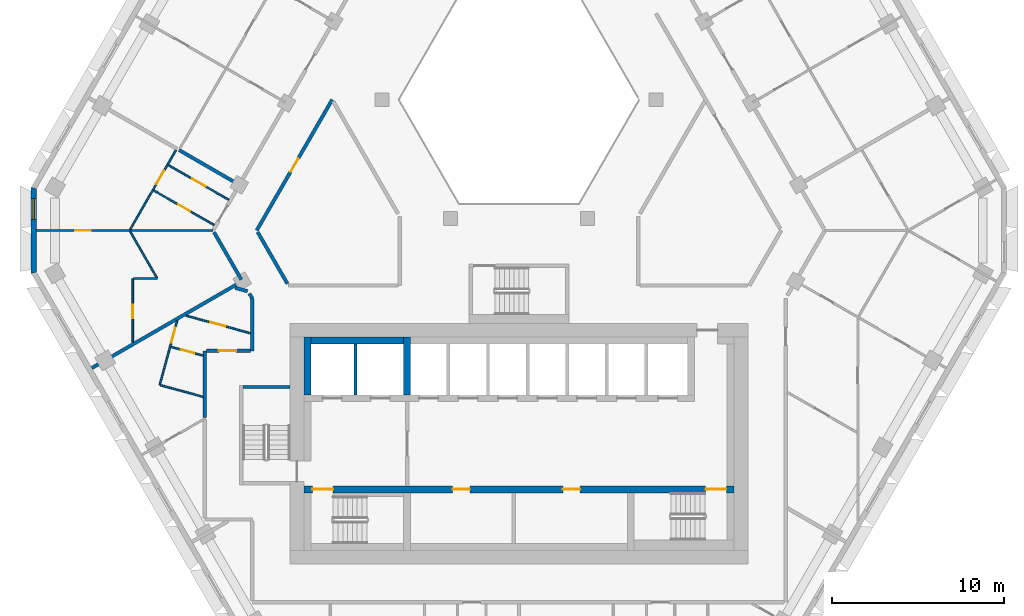
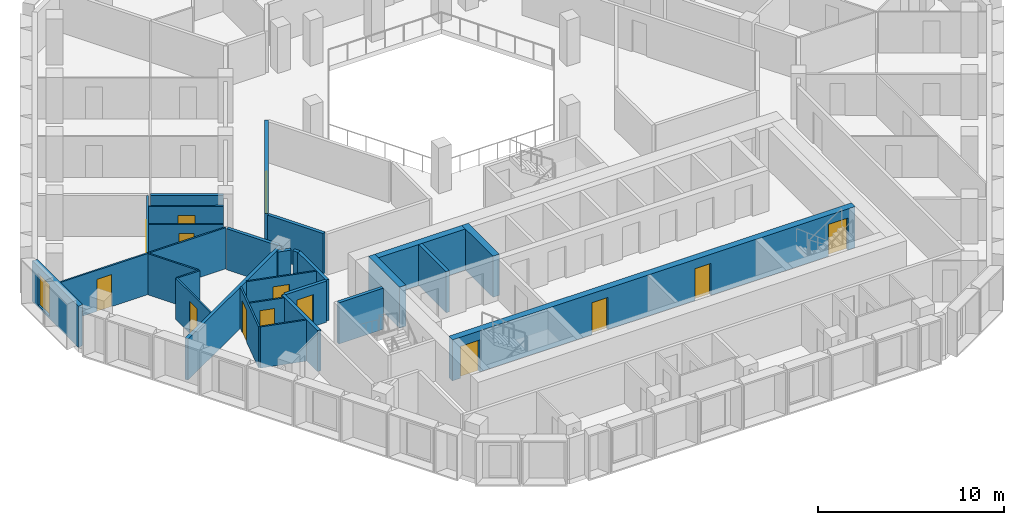
# One storey, part 4 of 15: 28 walls, 14 doors, 1 window, 15 openings.
"""IFC4 building model written with IfcOpenShell, lengths in metres."""

import ifcopenshell
import ifcopenshell.guid

model = None  # the IFC model being written
_history = None  # IfcOwnerHistory: only IFC2X3 demands one
_inside = {}  # id of a spatial element -> (the spatial element, [elements in it])
_under = {}  # id of a project, library or spatial element -> (it, [spatial elements below it])
_declared = {}  # id of a project -> (the project, [libraries it declares])
_typed = {}  # id of a type object -> (the type object, [elements of that type])
_made_of = {}  # id of a material, layer set ... -> (it, [elements and type objects made of it])


def new_model(schema):
    """Start an empty IFC model of exactly this schema.

    Asked for "IFC4X3", IfcOpenShell would pick the latest addendum, in which some entities
    have other attributes; the version numbers below select the first issue.
    IFC2X3 requires an IfcOwnerHistory on every rooted entity: one is made here for all.
    """
    global model, _history
    if schema == "IFC4X3":
        model = ifcopenshell.file(schema_version=(4, 3, 0, 0))
    else:
        model = ifcopenshell.file(schema=schema)
    _inside.clear()
    _under.clear()
    _declared.clear()
    _typed.clear()
    _made_of.clear()
    _history = None
    if model.schema == "IFC2X3":
        org = make("IfcOrganization", Name="unknown")
        user = make(
            "IfcPersonAndOrganization",
            ThePerson=make("IfcPerson", FamilyName="unknown"),
            TheOrganization=org,
        )
        app = make(
            "IfcApplication",
            ApplicationDeveloper=org,
            Version="unknown",
            ApplicationFullName="unknown",
            ApplicationIdentifier="unknown",
        )
        _history = make(
            "IfcOwnerHistory",
            OwningUser=user,
            OwningApplication=app,
            ChangeAction="ADDED",
            CreationDate=0,
        )
    return model


def make(cls, **values):
    """One entity of the class cls with the attributes given. An attribute that is None is left unset."""
    return model.create_entity(
        cls, **{name: value for name, value in values.items() if value is not None}
    )


def rooted(cls, **values):
    """An entity with a GlobalId (a new one), such as an element, a storey or a relation."""
    return make(cls, GlobalId=ifcopenshell.guid.new(), OwnerHistory=_history, **values)


def si_unit(unit_type, name, prefix=None):
    """IfcSIUnit, for example si_unit("LENGTHUNIT", "METRE", prefix="MILLI")."""
    return make("IfcSIUnit", UnitType=unit_type, Prefix=prefix, Name=name)


def assignment(units):
    """IfcUnitAssignment: the units of a project."""
    return None if units is None else make("IfcUnitAssignment", Units=units)


def point(xyz):
    """IfcCartesianPoint."""
    return None if xyz is None else make("IfcCartesianPoint", Coordinates=xyz)


def direction(xyz):
    """IfcDirection."""
    return None if xyz is None else make("IfcDirection", DirectionRatios=xyz)


def frame(location, z_axis=None, x_axis=None):
    """IfcAxis2Placement3D, a coordinate frame: its origin and axes. An axis left out is left unset."""
    return make(
        "IfcAxis2Placement3D",
        Location=point(location),
        Axis=direction(z_axis),
        RefDirection=direction(x_axis),
    )


def frame_2d(location, x_axis=None):
    """IfcAxis2Placement2D, a coordinate frame in the plane: its origin and x axis."""
    return make(
        "IfcAxis2Placement2D", Location=point(location), RefDirection=direction(x_axis)
    )


def origin():
    """The frame at (0, 0, 0) with its axes left unset."""
    return frame((0.0, 0.0, 0.0))


def place(relative_to, where):
    """IfcLocalPlacement: puts the frame where relative to a parent placement (None: the world)."""
    return make(
        "IfcLocalPlacement", PlacementRelTo=relative_to, RelativePlacement=where
    )


def context(
    kind, dimensions, precision=None, world=None, true_north=None, identifier=None
):
    """IfcGeometricRepresentationContext, for example the 3D "Model" context."""
    return make(
        "IfcGeometricRepresentationContext",
        ContextIdentifier=identifier,
        ContextType=kind,
        CoordinateSpaceDimension=dimensions,
        Precision=precision,
        WorldCoordinateSystem=world,
        TrueNorth=true_north,
    )


def subcontext(parent, identifier, kind, view, scale=None):
    """IfcGeometricRepresentationSubContext, for example "Body" below "Model"."""
    return make(
        "IfcGeometricRepresentationSubContext",
        ContextIdentifier=identifier,
        ContextType=kind,
        ParentContext=parent,
        TargetScale=scale,
        TargetView=view,
    )


def project(units=None, contexts=None):
    """IfcProject with its units and contexts."""
    return rooted(
        "IfcProject",
        Name="project",
        RepresentationContexts=contexts,
        UnitsInContext=assignment(units),
    )


def spatial(cls, under=None, at=None, **own):
    """A site, building, storey or space (cls), placed at a placement, below another one or the project."""
    s = rooted(cls, ObjectPlacement=at, **own)
    if under is not None:
        _under.setdefault(under.id(), (under, []))[1].append(s)
    return s


def polyline(points):
    """IfcPolyline through the points."""
    return make("IfcPolyline", Points=[point(p) for p in points])


def profile(cls, at=None, kind="AREA", **sizes):
    """A parametric profile (cls). Its sizes go by their IFC names, for example OverallWidth=200.0."""
    return make(cls, ProfileType=kind, Position=at, **sizes)


def rectangle(**sizes):
    """IfcRectangleProfileDef."""
    return profile("IfcRectangleProfileDef", **sizes)


def outline(outer, holes=None, kind="AREA"):
    """IfcArbitraryClosedProfileDef: a profile drawn as a closed curve; with holes, ...WithVoids."""
    if holes is None:
        return make("IfcArbitraryClosedProfileDef", ProfileType=kind, OuterCurve=outer)
    return make(
        "IfcArbitraryProfileDefWithVoids",
        ProfileType=kind,
        OuterCurve=outer,
        InnerCurves=holes,
    )


def extrude(swept, where, along, depth):
    """IfcExtrudedAreaSolid: the profile swept, set in the frame where, extruded along a direction by depth."""
    return make(
        "IfcExtrudedAreaSolid",
        SweptArea=swept,
        Position=where,
        ExtrudedDirection=direction(along),
        Depth=depth,
    )


def shape(context_of_items, identifier, shape_type, items):
    """IfcShapeRepresentation: the items that make up one representation, for example the "Body"."""
    return make(
        "IfcShapeRepresentation",
        ContextOfItems=context_of_items,
        RepresentationIdentifier=identifier,
        RepresentationType=shape_type,
        Items=items,
    )


def material(Name=None, Category=None):
    """IfcMaterial."""
    return make("IfcMaterial", Name=Name, Category=Category)


def layer(
    of_material, thickness, ventilated=None, Name=None, Category=None, Priority=None
):
    """IfcMaterialLayer: one layer of a wall or slab, of a material (None: an air gap)."""
    return make(
        "IfcMaterialLayer",
        Material=of_material,
        LayerThickness=thickness,
        IsVentilated=ventilated,
        Name=Name,
        Category=Category,
        Priority=Priority,
    )


def layer_set(layers, Name=None):
    """IfcMaterialLayerSet."""
    return make("IfcMaterialLayerSet", MaterialLayers=layers, LayerSetName=Name)


def made_of(thing, what):
    """Note that an element or type object is made of a material, layer set ...; save() writes the relation."""
    if what is not None:
        _made_of.setdefault(what.id(), (what, []))[1].append(thing)
    return thing


def type_object(cls, material=None, **own):
    """A type object (cls), such as IfcWallType, which elements share."""
    return made_of(rooted(cls, **own), material)


def element(
    cls,
    number,
    at=None,
    inside=None,
    cuts=None,
    type_object=None,
    material=None,
    context=None,
    identifier="Body",
    shape_type=None,
    held_by="IfcProductDefinitionShape",
    body=None,
    shapes=None,
    **own,
):
    """One element of the class cls, such as IfcWall. Its Tag is "e" and its number.

    at: its placement. inside: the storey or other place that contains it. cuts: it is an
    opening in that element (IfcRelVoidsElement). A single representation is given by context,
    identifier, shape_type and body (its items); several are given by shapes. held_by: the class
    of the entity that holds the representations. save() writes the other relations.
    """
    e = rooted(cls, Tag="e%d" % number, ObjectPlacement=at, **own)
    if body is not None:
        shapes = [shape(context, identifier, shape_type, body)]
    if shapes is not None:
        e.Representation = make(held_by, Representations=shapes)
    if inside is not None:
        _inside.setdefault(inside.id(), (inside, []))[1].append(e)
    if cuts is not None:
        rooted(
            "IfcRelVoidsElement", RelatingBuildingElement=cuts, RelatedOpeningElement=e
        )
    if type_object is not None:
        _typed.setdefault(type_object.id(), (type_object, []))[1].append(e)
    return made_of(e, material)


def fill(opening, filler):
    """IfcRelFillsElement: the door or window that sits in an opening."""
    return rooted(
        "IfcRelFillsElement",
        RelatingOpeningElement=opening,
        RelatedBuildingElement=filler,
    )


def aggregate(whole, parts):
    """IfcRelAggregates: a whole, such as a stair, and the parts it consists of."""
    return rooted("IfcRelAggregates", RelatingObject=whole, RelatedObjects=parts)


def save(model, path):
    """Write the relations noted so far, then the file.

    IfcRelAggregates (storeys below a building ...), IfcRelContainedInSpatialStructure (elements
    in a storey), IfcRelDefinesByType, IfcRelAssociatesMaterial and IfcRelDeclares: one each for
    every whole, place, type object, material and project.
    """
    for whole, parts in _under.values():
        aggregate(whole, parts)
    for where, things in _inside.values():
        rooted(
            "IfcRelContainedInSpatialStructure",
            RelatedElements=things,
            RelatingStructure=where,
        )
    for kind, things in _typed.values():
        rooted("IfcRelDefinesByType", RelatedObjects=things, RelatingType=kind)
    for what, things in _made_of.values():
        rooted("IfcRelAssociatesMaterial", RelatedObjects=things, RelatingMaterial=what)
    for by, libraries in _declared.values():
        rooted("IfcRelDeclares", RelatingContext=by, RelatedDefinitions=libraries)
    model.write(path)


model = new_model("IFC4")

# Units and contexts
model_context = context("Model", 3, precision=1e-05, world=origin(), true_north=direction((0.0, 1.0)))
body_context = subcontext(model_context, "Body", "Model", "MODEL_VIEW")
ifc_project = project(units=[si_unit("LENGTHUNIT", "METRE"), si_unit("AREAUNIT", "SQUARE_METRE"), si_unit("VOLUMEUNIT", "CUBIC_METRE"), si_unit("PLANEANGLEUNIT", "RADIAN"), si_unit("MASSUNIT", "GRAM", prefix="KILO")], contexts=[model_context])

# Site, building, storey
site_placement = place(None, origin())
site = spatial("IfcSite", under=ifc_project, at=site_placement, CompositionType="ELEMENT")
building_placement = place(site_placement, origin())
building = spatial("IfcBuilding", under=site, at=building_placement, Name="Beryl Residences", CompositionType="ELEMENT")
storey_placement = place(building_placement, frame((0.0, 0.0, 123.60009765625)))
storey = spatial("IfcBuildingStorey", under=building, at=storey_placement, Name="L37", CompositionType="ELEMENT", Elevation=123.60009765625)

# Wall, opening, window
ifc_material_1 = material(Name="Composite metal panel with mineral wool insulation")
ifc_layer_1 = layer(ifc_material_1, 0.300048828125)
ifc_layer_set_1 = layer_set([ifc_layer_1], Name="ES1 pale metal composite panel wall 300 mm")
wall_type_1 = type_object("IfcWallType", Name="ES1 pale metal composite panel wall 300 mm", PredefinedType="SOLIDWALL", material=ifc_layer_set_1)
wall_1_placement = place(storey_placement, frame((-28.197998046875, 2.89990234375, 0.0), z_axis=(0.0, 0.0, 1.0), x_axis=(0.0, -1.0, 0.0)))
wall_1 = element("IfcWall", 1, at=wall_1_placement, inside=storey, type_object=wall_type_1, Name="ES1 external wall L37 NW-SW", PredefinedType="SOLIDWALL", context=body_context, shape_type="SweptSolid", body=[
    extrude(outline(polyline([(0.0, -0.14990234375), (5.0, -0.14990234375), (4.919677734375, 0.14990234375), (0.080322265625, 0.14990234375), (0.0, -0.14990234375)])), origin(), (0.0, 0.0, 1.0), 2.699951171875),
])
opening_1_placement = place(wall_1_placement, frame((0.64990234375, 0.0, 0.14990234375)))
opening_1 = element("IfcOpeningElement", 2, at=opening_1_placement, cuts=wall_1, Name="Opening W2", PredefinedType="OPENING", context=body_context, shape_type="SweptSolid", body=[
    extrude(rectangle(XDim=1.199951171875, YDim=2.10009765625, at=frame_2d((0.60009765625, 1.050048828125))), frame((0.0, 0.159912109375, 0.0), z_axis=(0.0, -1.0, 0.0), x_axis=(1.0, 0.0, 0.0)), (0.0, 0.0, 1.0), 0.320068359375),
])
ifc_material_2 = material(Name="Aluminium and clear glass", Category="aluminium")
window_type = type_object("IfcWindowType", Name="W2 chamfer window 1200 x 2100 mm", PartitioningType="SINGLE_PANEL", PredefinedType="WINDOW", material=ifc_material_2)
window_placement = place(opening_1_placement, origin())
window = element("IfcWindow", 3, at=window_placement, inside=storey, type_object=window_type, Name="W2 window L37 NW-SW 1", OverallHeight=2.10009765625, OverallWidth=1.199951171875, PartitioningType="SINGLE_PANEL", PredefinedType="WINDOW", context=body_context, shape_type="SweptSolid", body=[
    extrude(rectangle(XDim=1.199951171875, YDim=2.10009765625, at=frame_2d((0.60009765625, 1.050048828125))), frame((0.0, 0.030029296875, 0.0), z_axis=(0.0, -1.0, 0.0), x_axis=(1.0, 0.0, 0.0)), (0.0, 0.0, 1.0), 0.06005859375),
])
fill(opening_1, window)

# Wall
ifc_material_3 = material(Name="Gypsum board partition on steel studs", Category="steel")
ifc_layer_2 = layer(ifc_material_3, 0.10009765625)
ifc_layer_set_2 = layer_set([ifc_layer_2], Name="PT1 partition 100 mm gypsum board on steel studs")
wall_type_2 = type_object("IfcWallType", Name="PT1 partition 100 mm gypsum board on steel studs", PredefinedType="PARTITIONING", material=ifc_layer_set_2)
wall_2_placement = place(storey_placement, frame((-22.60302734375, 0.34912109375, 0.0), z_axis=(0.0, 0.0, 1.0), x_axis=(0.499930403552, -0.866065581584, 0.0)))
element("IfcWall", 4, at=wall_2_placement, inside=storey, type_object=wall_type_2, Name="Wall PT1 L37 001", PredefinedType="PARTITIONING", context=body_context, shape_type="SweptSolid", body=[
    extrude(rectangle(XDim=3.11669921875, YDim=0.10009765625, at=frame_2d((1.558349609375, 0.0))), origin(), (0.0, 0.0, 1.0), 2.699951171875),
])

# Wall, opening, door
wall_3_placement = place(storey_placement, frame((-19.35107421875, -4.552978515625, 0.0), z_axis=(0.0, 0.0, 1.0), x_axis=(0.964766719363, -0.263106779102, 0.0)))
wall_3 = element("IfcWall", 5, at=wall_3_placement, inside=storey, type_object=wall_type_2, Name="Wall PT1 L37 009", PredefinedType="PARTITIONING", context=body_context, shape_type="SweptSolid", body=[
    extrude(rectangle(XDim=3.887939453125, YDim=0.10009765625, at=frame_2d((1.94384765625, 0.0))), origin(), (0.0, 0.0, 1.0), 2.699951171875),
])
opening_2_placement = place(wall_3_placement, frame((1.47509765625, 0.0, 0.0)))
opening_2 = element("IfcOpeningElement", 6, at=opening_2_placement, cuts=wall_3, Name="Opening D1250", PredefinedType="OPENING", context=body_context, shape_type="SweptSolid", body=[
    extrude(rectangle(XDim=0.89990234375, YDim=2.10009765625, at=frame_2d((0.449951171875, 1.050048828125))), frame((0.0, 0.06005859375, 0.0), z_axis=(0.0, -1.0, 0.0), x_axis=(1.0, 0.0, 0.0)), (0.0, 0.0, 1.0), 0.1201171875),
])
ifc_material_4 = material(Name="Timber door leaf", Category="wood")
door_type_1 = type_object("IfcDoorType", Name="D2 room door 900 x 2100 mm", OperationType="SINGLE_SWING_LEFT", PredefinedType="DOOR", material=ifc_material_4)
door_1_placement = place(opening_2_placement, origin())
door_1 = element("IfcDoor", 7, at=door_1_placement, inside=storey, type_object=door_type_1, Name="Door D1250 L37 001", OperationType="SINGLE_SWING_RIGHT", OverallHeight=2.10009765625, OverallWidth=0.89990234375, PredefinedType="DOOR", context=body_context, shape_type="SweptSolid", body=[
    extrude(rectangle(XDim=0.89990234375, YDim=2.10009765625, at=frame_2d((0.449951171875, 1.050048828125))), frame((0.0, 0.02490234375, 0.0), z_axis=(0.0, -1.0, 0.0), x_axis=(1.0, 0.0, 0.0)), (0.0, 0.0, 1.0), 0.050048828125),
])
fill(opening_2, door_1)

wall_4_placement = place(storey_placement, frame((-20.221923828125, -6.367919921875, 0.0), z_axis=(0.0, 0.0, 1.0), x_axis=(0.964827681618, -0.262883139024, 0.0)))
wall_4 = element("IfcWall", 8, at=wall_4_placement, inside=storey, type_object=wall_type_2, Name="Wall PT1 L37 010", PredefinedType="PARTITIONING", context=body_context, shape_type="SweptSolid", body=[
    extrude(rectangle(XDim=1.93994140625, YDim=0.10009765625, at=frame_2d((0.969970703125, 0.0))), origin(), (0.0, 0.0, 1.0), 2.699951171875),
])
opening_3_placement = place(wall_4_placement, frame((0.596923828125, 0.0, 0.0)))
opening_3 = element("IfcOpeningElement", 9, at=opening_3_placement, cuts=wall_4, Name="Opening D1251", PredefinedType="OPENING", context=body_context, shape_type="SweptSolid", body=[
    extrude(rectangle(XDim=0.800048828125, YDim=2.10009765625, at=frame_2d((0.39990234375, 1.050048828125))), frame((0.0, 0.06005859375, 0.0), z_axis=(0.0, -1.0, 0.0), x_axis=(1.0, 0.0, 0.0)), (0.0, 0.0, 1.0), 0.1201171875),
])
ifc_material_5 = material(Name="Timber door leaf", Category="wood")
door_type_2 = type_object("IfcDoorType", Name="D3 bathroom door 800 x 2100 mm", OperationType="SINGLE_SWING_LEFT", PredefinedType="DOOR", material=ifc_material_5)
door_2_placement = place(opening_3_placement, origin())
door_2 = element("IfcDoor", 10, at=door_2_placement, inside=storey, type_object=door_type_2, Name="Door D1251 L37 001", OperationType="SINGLE_SWING_LEFT", OverallHeight=2.10009765625, OverallWidth=0.800048828125, PredefinedType="DOOR", context=body_context, shape_type="SweptSolid", body=[
    extrude(rectangle(XDim=0.800048828125, YDim=2.10009765625, at=frame_2d((0.39990234375, 1.050048828125))), frame((0.0, 0.02490234375, 0.0), z_axis=(0.0, -1.0, 0.0), x_axis=(1.0, 0.0, 0.0)), (0.0, 0.0, 1.0), 0.050048828125),
])
fill(opening_3, door_2)

# Wall
wall_5_placement = place(storey_placement, frame((-20.830078125, -8.596923828125, 0.0), z_axis=(0.0, 0.0, 1.0), x_axis=(0.964796691053, -0.262996853468, 0.0)))
element("IfcWall", 11, at=wall_5_placement, inside=storey, type_object=wall_type_2, Name="Wall PT1 L37 011", PredefinedType="PARTITIONING", context=body_context, shape_type="SweptSolid", body=[
    extrude(rectangle(XDim=2.570556640625, YDim=0.10009765625, at=frame_2d((1.28515625, 0.0))), origin(), (0.0, 0.0, 1.0), 2.699951171875),
])

# Wall, opening, door
wall_6_placement = place(storey_placement, frame((-20.381103515625, 4.197998046875, 0.0), z_axis=(0.0, 0.0, 1.0), x_axis=(0.867459321792, -0.497508115549, 0.0)))
wall_6 = element("IfcWall", 12, at=wall_6_placement, inside=storey, type_object=wall_type_2, Name="Wall PT1 L37 012", PredefinedType="PARTITIONING", context=body_context, shape_type="SweptSolid", body=[
    extrude(rectangle(XDim=4.050048828125, YDim=0.10009765625, at=frame_2d((2.02490234375, 0.0))), origin(), (0.0, 0.0, 1.0), 2.699951171875),
])
opening_4_placement = place(wall_6_placement, frame((1.60009765625, 0.0, 0.0)))
opening_4 = element("IfcOpeningElement", 13, at=opening_4_placement, cuts=wall_6, Name="Opening D1244", PredefinedType="OPENING", context=body_context, shape_type="SweptSolid", body=[
    extrude(rectangle(XDim=0.89990234375, YDim=2.10009765625, at=frame_2d((0.449951171875, 1.050048828125))), frame((0.0, 0.06005859375, 0.0), z_axis=(0.0, -1.0, 0.0), x_axis=(1.0, 0.0, 0.0)), (0.0, 0.0, 1.0), 0.1201171875),
])
door_3_placement = place(opening_4_placement, origin())
door_3 = element("IfcDoor", 14, at=door_3_placement, inside=storey, type_object=door_type_1, Name="Door D1244 L37 001", OperationType="SINGLE_SWING_RIGHT", OverallHeight=2.10009765625, OverallWidth=0.89990234375, PredefinedType="DOOR", context=body_context, shape_type="SweptSolid", body=[
    extrude(rectangle(XDim=0.89990234375, YDim=2.10009765625, at=frame_2d((0.449951171875, 1.050048828125))), frame((0.0, 0.02490234375, 0.0), z_axis=(0.0, -1.0, 0.0), x_axis=(1.0, 0.0, 0.0)), (0.0, 0.0, 1.0), 0.050048828125),
])
fill(opening_4, door_3)

wall_7_placement = place(storey_placement, frame((-21.23095703125, 2.72607421875, 0.0), z_axis=(0.0, 0.0, 1.0), x_axis=(0.867314299312, -0.497760892607, 0.0)))
wall_7 = element("IfcWall", 15, at=wall_7_placement, inside=storey, type_object=wall_type_2, Name="Wall PT1 L37 013", PredefinedType="PARTITIONING", context=body_context, shape_type="SweptSolid", body=[
    extrude(rectangle(XDim=4.05029296875, YDim=0.10009765625, at=frame_2d((2.025146484375, 0.0))), origin(), (0.0, 0.0, 1.0), 2.699951171875),
])
opening_5_placement = place(wall_7_placement, frame((1.64990234375, 0.0, 0.0)))
opening_5 = element("IfcOpeningElement", 16, at=opening_5_placement, cuts=wall_7, Name="Opening D1245", PredefinedType="OPENING", context=body_context, shape_type="SweptSolid", body=[
    extrude(rectangle(XDim=0.800048828125, YDim=2.10009765625, at=frame_2d((0.39990234375, 1.050048828125))), frame((0.0, 0.06005859375, 0.0), z_axis=(0.0, -1.0, 0.0), x_axis=(1.0, 0.0, 0.0)), (0.0, 0.0, 1.0), 0.1201171875),
])
door_4_placement = place(opening_5_placement, origin())
door_4 = element("IfcDoor", 17, at=door_4_placement, inside=storey, type_object=door_type_2, Name="Door D1245 L37 001", OperationType="SINGLE_SWING_LEFT", OverallHeight=2.10009765625, OverallWidth=0.800048828125, PredefinedType="DOOR", context=body_context, shape_type="SweptSolid", body=[
    extrude(rectangle(XDim=0.800048828125, YDim=2.10009765625, at=frame_2d((0.39990234375, 1.050048828125))), frame((0.0, 0.02490234375, 0.0), z_axis=(0.0, -1.0, 0.0), x_axis=(1.0, 0.0, 0.0)), (0.0, 0.0, 1.0), 0.050048828125),
])
fill(opening_5, door_4)

# Wall
wall_8_placement = place(storey_placement, frame((-22.39990234375, -2.39990234375, 0.0), z_axis=(0.0, 0.0, 1.0), x_axis=(1.0, 0.0, 0.0)))
element("IfcWall", 18, at=wall_8_placement, inside=storey, type_object=wall_type_2, Name="Wall PT1 L37 022", PredefinedType="PARTITIONING", context=body_context, shape_type="SweptSolid", body=[
    extrude(rectangle(XDim=1.3837890625, YDim=0.10009765625, at=frame_2d((0.69189453125, 0.0))), origin(), (0.0, 0.0, 1.0), 2.699951171875),
])

# Wall, opening, door
wall_9_placement = place(storey_placement, frame((-28.048095703125, 0.39892578125, 0.0), z_axis=(0.0, 0.0, 1.0), x_axis=(1.0, 0.0, 0.0)))
wall_9 = element("IfcWall", 19, at=wall_9_placement, inside=storey, type_object=wall_type_2, Name="Wall PT1 L37 023", PredefinedType="PARTITIONING", context=body_context, shape_type="SweptSolid", body=[
    extrude(rectangle(XDim=10.26611328125, YDim=0.10009765625, at=frame_2d((5.133056640625, 0.0))), origin(), (0.0, 0.0, 1.0), 2.699951171875),
])
opening_6_placement = place(wall_9_placement, frame((2.258056640625, 0.0, 0.0)))
opening_6 = element("IfcOpeningElement", 20, at=opening_6_placement, cuts=wall_9, Name="Opening D1247", PredefinedType="OPENING", context=body_context, shape_type="SweptSolid", body=[
    extrude(rectangle(XDim=0.89990234375, YDim=2.10009765625, at=frame_2d((0.449951171875, 1.050048828125))), frame((0.0, 0.06005859375, 0.0), z_axis=(0.0, -1.0, 0.0), x_axis=(1.0, 0.0, 0.0)), (0.0, 0.0, 1.0), 0.1201171875),
])
door_5_placement = place(opening_6_placement, origin())
door_5 = element("IfcDoor", 21, at=door_5_placement, inside=storey, type_object=door_type_1, Name="Door D1247 L37 001", OperationType="SINGLE_SWING_LEFT", OverallHeight=2.10009765625, OverallWidth=0.89990234375, PredefinedType="DOOR", context=body_context, shape_type="SweptSolid", body=[
    extrude(rectangle(XDim=0.89990234375, YDim=2.10009765625, at=frame_2d((0.449951171875, 1.050048828125))), frame((0.0, 0.02490234375, 0.0), z_axis=(0.0, -1.0, 0.0), x_axis=(1.0, 0.0, 0.0)), (0.0, 0.0, 1.0), 0.050048828125),
])
fill(opening_6, door_5)

wall_10_placement = place(storey_placement, frame((-22.60302734375, 0.448974609375, 0.0), z_axis=(0.0, 0.0, 1.0), x_axis=(0.500022588228, 0.866012362072, 0.0)))
wall_10 = element("IfcWall", 22, at=wall_10_placement, inside=storey, type_object=wall_type_2, Name="Wall PT1 L37 032", PredefinedType="PARTITIONING", context=body_context, shape_type="SweptSolid", body=[
    extrude(rectangle(XDim=5.327880859375, YDim=0.10009765625, at=frame_2d((2.6640625, 0.0))), origin(), (0.0, 0.0, 1.0), 2.699951171875),
])
opening_7_placement = place(wall_10_placement, frame((3.05810546875, 0.0, 0.0)))
opening_7 = element("IfcOpeningElement", 23, at=opening_7_placement, cuts=wall_10, Name="Opening D1246", PredefinedType="OPENING", context=body_context, shape_type="SweptSolid", body=[
    extrude(rectangle(XDim=0.89990234375, YDim=2.10009765625, at=frame_2d((0.449951171875, 1.050048828125))), frame((0.0, 0.06005859375, 0.0), z_axis=(0.0, -1.0, 0.0), x_axis=(1.0, 0.0, 0.0)), (0.0, 0.0, 1.0), 0.1201171875),
])
door_6_placement = place(opening_7_placement, origin())
door_6 = element("IfcDoor", 24, at=door_6_placement, inside=storey, type_object=door_type_1, Name="Door D1246 L37 001", OperationType="SINGLE_SWING_RIGHT", OverallHeight=2.10009765625, OverallWidth=0.89990234375, PredefinedType="DOOR", context=body_context, shape_type="SweptSolid", body=[
    extrude(rectangle(XDim=0.89990234375, YDim=2.10009765625, at=frame_2d((0.449951171875, 1.050048828125))), frame((0.0, 0.02490234375, 0.0), z_axis=(0.0, -1.0, 0.0), x_axis=(1.0, 0.0, 0.0)), (0.0, 0.0, 1.0), 0.050048828125),
])
fill(opening_7, door_6)

wall_11_placement = place(storey_placement, frame((-20.8779296875, -8.5830078125, 0.0), z_axis=(0.0, 0.0, 1.0), x_axis=(0.263144077993, 0.964756546605, 0.0)))
wall_11 = element("IfcWall", 25, at=wall_11_placement, inside=storey, type_object=wall_type_2, Name="Wall PT1 L37 035", PredefinedType="PARTITIONING", context=body_context, shape_type="SweptSolid", body=[
    extrude(rectangle(XDim=3.87255859375, YDim=0.10009765625, at=frame_2d((1.936279296875, 0.0))), origin(), (0.0, 0.0, 1.0), 2.699951171875),
])
opening_8_placement = place(wall_11_placement, frame((2.552001953125, 0.0, 0.0)))
opening_8 = element("IfcOpeningElement", 26, at=opening_8_placement, cuts=wall_11, Name="Opening D1252", PredefinedType="OPENING", context=body_context, shape_type="SweptSolid", body=[
    extrude(rectangle(XDim=0.89990234375, YDim=2.10009765625, at=frame_2d((0.449951171875, 1.050048828125))), frame((0.0, 0.06005859375, 0.0), z_axis=(0.0, -1.0, 0.0), x_axis=(1.0, 0.0, 0.0)), (0.0, 0.0, 1.0), 0.1201171875),
])
door_7_placement = place(opening_8_placement, origin())
door_7 = element("IfcDoor", 27, at=door_7_placement, inside=storey, type_object=door_type_1, Name="Door D1252 L37 001", OperationType="SINGLE_SWING_RIGHT", OverallHeight=2.10009765625, OverallWidth=0.89990234375, PredefinedType="DOOR", context=body_context, shape_type="SweptSolid", body=[
    extrude(rectangle(XDim=0.89990234375, YDim=2.10009765625, at=frame_2d((0.449951171875, 1.050048828125))), frame((0.0, 0.02490234375, 0.0), z_axis=(0.0, -1.0, 0.0), x_axis=(1.0, 0.0, 0.0)), (0.0, 0.0, 1.0), 0.050048828125),
])
fill(opening_8, door_7)

wall_12_placement = place(storey_placement, frame((-22.449951171875, -6.112060546875, 0.0), z_axis=(0.0, 0.0, 1.0), x_axis=(0.0, 1.0, 0.0)))
wall_12 = element("IfcWall", 28, at=wall_12_placement, inside=storey, type_object=wall_type_2, Name="Wall PT1 L37 048", PredefinedType="PARTITIONING", context=body_context, shape_type="SweptSolid", body=[
    extrude(rectangle(XDim=3.712158203125, YDim=0.10009765625, at=frame_2d((1.85595703125, 0.0))), origin(), (0.0, 0.0, 1.0), 2.699951171875),
])
opening_9_placement = place(wall_12_placement, frame((1.39794921875, 0.0, 0.0)))
opening_9 = element("IfcOpeningElement", 29, at=opening_9_placement, cuts=wall_12, Name="Opening D1248", PredefinedType="OPENING", context=body_context, shape_type="SweptSolid", body=[
    extrude(rectangle(XDim=0.800048828125, YDim=2.10009765625, at=frame_2d((0.39990234375, 1.050048828125))), frame((0.0, 0.06005859375, 0.0), z_axis=(0.0, -1.0, 0.0), x_axis=(1.0, 0.0, 0.0)), (0.0, 0.0, 1.0), 0.1201171875),
])
door_8_placement = place(opening_9_placement, origin())
door_8 = element("IfcDoor", 30, at=door_8_placement, inside=storey, type_object=door_type_2, Name="Door D1248 L37 001", OperationType="SINGLE_SWING_RIGHT", OverallHeight=2.10009765625, OverallWidth=0.800048828125, PredefinedType="DOOR", context=body_context, shape_type="SweptSolid", body=[
    extrude(rectangle(XDim=0.800048828125, YDim=2.10009765625, at=frame_2d((0.39990234375, 1.050048828125))), frame((0.0, 0.02490234375, 0.0), z_axis=(0.0, -1.0, 0.0), x_axis=(1.0, 0.0, 0.0)), (0.0, 0.0, 1.0), 0.050048828125),
])
fill(opening_9, door_8)

# Walls
ifc_material_6 = material(Name="Acoustic double stud gypsum board wall")
ifc_layer_3 = layer(ifc_material_6, 0.199951171875)
ifc_layer_set_3 = layer_set([ifc_layer_3], Name="PT3 party wall 200 mm acoustic double stud")
wall_type_3 = type_object("IfcWallType", Name="PT3 party wall 200 mm acoustic double stud", PredefinedType="PARTITIONING", material=ifc_layer_set_3)
wall_13_placement = place(storey_placement, frame((-16.492919921875, -2.93798828125, 0.0), z_axis=(0.0, 0.0, 1.0), x_axis=(0.964816958114, -0.262922493019, 0.0)))
element("IfcWall", 31, at=wall_13_placement, inside=storey, type_object=wall_type_3, Name="Wall PT3 L37 004", PredefinedType="PARTITIONING", context=body_context, shape_type="SweptSolid", body=[
    extrude(rectangle(XDim=0.741943359375, YDim=0.199951171875, at=frame_2d((0.37109375, 0.0))), origin(), (0.0, 0.0, 1.0), 2.699951171875),
])
wall_14_placement = place(storey_placement, frame((-19.756103515625, 5.072998046875, 0.0), z_axis=(0.0, 0.0, 1.0), x_axis=(0.866014535457, -0.500018824023, 0.0)))
element("IfcWall", 32, at=wall_14_placement, inside=storey, type_object=wall_type_3, Name="Wall PT3 L37 006", PredefinedType="PARTITIONING", context=body_context, shape_type="SweptSolid", body=[
    extrude(rectangle(XDim=3.945556640625, YDim=0.199951171875, at=frame_2d((1.97265625, 0.0))), origin(), (0.0, 0.0, 1.0), 2.699951171875),
])
wall_15_placement = place(storey_placement, frame((-24.825927734375, -7.59912109375, 0.0), z_axis=(0.0, 0.0, 1.0), x_axis=(0.86599621094, 0.500050560081, 0.0)))
element("IfcWall", 33, at=wall_15_placement, inside=storey, type_object=wall_type_3, Name="Wall PT3 L37 013", PredefinedType="PARTITIONING", context=body_context, shape_type="SweptSolid", body=[
    extrude(rectangle(XDim=10.0693359375, YDim=0.199951171875, at=frame_2d((5.03466796875, 0.0))), origin(), (0.0, 0.0, 1.0), 2.699951171875),
])
ifc_material_7 = material(Name="Double stud gypsum board wall")
ifc_layer_4 = layer(ifc_material_7, 0.199951171875)
ifc_layer_set_4 = layer_set([ifc_layer_4], Name="PT4 corridor wall 200 mm double stud")
wall_type_4 = type_object("IfcWallType", Name="PT4 corridor wall 200 mm double stud", PredefinedType="PARTITIONING", material=ifc_layer_set_4)
wall_16_placement = place(storey_placement, frame((-15.18408203125, 0.299072265625, 0.0), z_axis=(0.0, 0.0, 1.0), x_axis=(0.500149577091, -0.865939028186, 0.0)))
element("IfcWall", 34, at=wall_16_placement, inside=storey, type_object=wall_type_4, Name="Wall PT4 L37 002", PredefinedType="PARTITIONING", context=body_context, shape_type="SweptSolid", body=[
    extrude(rectangle(XDim=3.46337890625, YDim=0.199951171875, at=frame_2d((1.731689453125, 0.0))), origin(), (0.0, 0.0, 1.0), 2.699951171875),
])
wall_17_placement = place(storey_placement, frame((-17.72412109375, 0.299072265625, 0.0), z_axis=(0.0, 0.0, 1.0), x_axis=(0.499910220442, -0.866077231832, 0.0)))
element("IfcWall", 35, at=wall_17_placement, inside=storey, type_object=wall_type_4, Name="Wall PT4 L37 003", PredefinedType="PARTITIONING", context=body_context, shape_type="SweptSolid", body=[
    extrude(rectangle(XDim=3.18896484375, YDim=0.199951171875, at=frame_2d((1.594482421875, 0.0))), origin(), (0.0, 0.0, 1.0), 2.699951171875),
])
wall_18_placement = place(storey_placement, frame((-15.6650390625, -3.26708984375, 0.0), z_axis=(0.0, 0.0, 1.0), x_axis=(0.499957196903, -0.866050114754, 0.0)))
element("IfcWall", 36, at=wall_18_placement, inside=storey, type_object=wall_type_4, Name="Wall PT4 L37 004", PredefinedType="PARTITIONING", context=body_context, shape_type="SweptSolid", body=[
    extrude(rectangle(XDim=0.330078125, YDim=0.199951171875, at=frame_2d((0.1650390625, 0.0))), origin(), (0.0, 0.0, 1.0), 2.699951171875),
])

# Wall, opening, door
wall_19_placement = place(storey_placement, frame((-18.14990234375, -6.60009765625, 0.0), z_axis=(0.0, 0.0, 1.0), x_axis=(1.0, 0.0, 0.0)))
wall_19 = element("IfcWall", 37, at=wall_19_placement, inside=storey, type_object=wall_type_4, Name="Wall PT4 L37 010", PredefinedType="PARTITIONING", context=body_context, shape_type="SweptSolid", body=[
    extrude(rectangle(XDim=2.5498046875, YDim=0.199951171875, at=frame_2d((1.27490234375, 0.0))), origin(), (0.0, 0.0, 1.0), 2.699951171875),
])
opening_10_placement = place(wall_19_placement, frame((0.715087890625, 0.0, 0.0)))
opening_10 = element("IfcOpeningElement", 38, at=opening_10_placement, cuts=wall_19, Name="Opening D1249", PredefinedType="OPENING", context=body_context, shape_type="SweptSolid", body=[
    extrude(rectangle(XDim=1.0, YDim=2.10009765625, at=frame_2d((0.5, 1.050048828125))), frame((0.0, 0.10986328125, 0.0), z_axis=(0.0, -1.0, 0.0), x_axis=(1.0, 0.0, 0.0)), (0.0, 0.0, 1.0), 0.219970703125),
])
ifc_material_8 = material(Name="Timber door leaf", Category="wood")
door_type_3 = type_object("IfcDoorType", Name="D1 flat entrance door 1000 x 2100 mm", OperationType="SINGLE_SWING_LEFT", PredefinedType="DOOR", material=ifc_material_8)
door_9_placement = place(opening_10_placement, origin())
door_9 = element("IfcDoor", 39, at=door_9_placement, inside=storey, type_object=door_type_3, Name="Door D1249 L37 001", OperationType="SINGLE_SWING_LEFT", OverallHeight=2.10009765625, OverallWidth=1.0, PredefinedType="DOOR", context=body_context, shape_type="SweptSolid", body=[
    extrude(rectangle(XDim=1.0, YDim=2.10009765625, at=frame_2d((0.5, 1.050048828125))), frame((0.0, 0.02490234375, 0.0), z_axis=(0.0, -1.0, 0.0), x_axis=(1.0, 0.0, 0.0)), (0.0, 0.0, 1.0), 0.050048828125),
])
fill(opening_10, door_9)

wall_20_placement = place(storey_placement, frame((-15.241943359375, 0.39892578125, 0.0), z_axis=(0.0, 0.0, 1.0), x_axis=(0.499953615651, 0.866052182145, 0.0)))
wall_20 = element("IfcWall", 40, at=wall_20_placement, inside=storey, type_object=wall_type_4, Name="Wall PT4 L37 021", PredefinedType="PARTITIONING", context=body_context, shape_type="SweptSolid", body=[
    extrude(rectangle(XDim=8.776611328125, YDim=0.199951171875, at=frame_2d((4.38818359375, 0.0))), origin(), (0.0, 0.0, 1.0), 2.699951171875),
])
opening_11_placement = place(wall_20_placement, frame((3.93798828125, 0.0, 0.0)))
opening_11 = element("IfcOpeningElement", 41, at=opening_11_placement, cuts=wall_20, Name="Opening D1254", PredefinedType="OPENING", context=body_context, shape_type="SweptSolid", body=[
    extrude(rectangle(XDim=0.89990234375, YDim=2.10009765625, at=frame_2d((0.449951171875, 1.050048828125))), frame((0.0, 0.10986328125, 0.0), z_axis=(0.0, -1.0, 0.0), x_axis=(1.0, 0.0, 0.0)), (0.0, 0.0, 1.0), 0.219970703125),
])
door_10_placement = place(opening_11_placement, origin())
door_10 = element("IfcDoor", 42, at=door_10_placement, inside=storey, type_object=door_type_1, Name="Door D1254 L37 001", OperationType="SINGLE_SWING_RIGHT", OverallHeight=2.10009765625, OverallWidth=0.89990234375, PredefinedType="DOOR", context=body_context, shape_type="SweptSolid", body=[
    extrude(rectangle(XDim=0.89990234375, YDim=2.10009765625, at=frame_2d((0.449951171875, 1.050048828125))), frame((0.0, 0.02490234375, 0.0), z_axis=(0.0, -1.0, 0.0), x_axis=(1.0, 0.0, 0.0)), (0.0, 0.0, 1.0), 0.050048828125),
])
fill(opening_11, door_10)

# Walls
wall_21_placement = place(storey_placement, frame((-15.5, -6.60009765625, 0.0), z_axis=(0.0, 0.0, 1.0), x_axis=(0.0, 1.0, 0.0)))
element("IfcWall", 43, at=wall_21_placement, inside=storey, type_object=wall_type_4, Name="Wall PT4 L37 027", PredefinedType="PARTITIONING", context=body_context, shape_type="SweptSolid", body=[
    extrude(rectangle(XDim=3.047119140625, YDim=0.199951171875, at=frame_2d((1.5234375, 0.0))), origin(), (0.0, 0.0, 1.0), 2.699951171875),
])
wall_22_placement = place(storey_placement, frame((-18.25, -10.47802734375, 0.0), z_axis=(0.0, 0.0, 1.0), x_axis=(0.0, 1.0, 0.0)))
element("IfcWall", 44, at=wall_22_placement, inside=storey, type_object=wall_type_4, Name="Wall PT4 L37 028", PredefinedType="PARTITIONING", context=body_context, shape_type="SweptSolid", body=[
    extrude(rectangle(XDim=3.8779296875, YDim=0.199951171875, at=frame_2d((1.93896484375, 0.0))), origin(), (0.0, 0.0, 1.0), 2.699951171875),
])
ifc_material_9 = material(Name="Concrete C40/50", Category="concrete")
ifc_layer_5 = layer(ifc_material_9, 0.199951171875)
ifc_layer_set_5 = layer_set([ifc_layer_5], Name="PT5 stair enclosure wall 200 mm reinforced concrete C40/50")
wall_type_5 = type_object("IfcWallType", Name="PT5 stair enclosure wall 200 mm reinforced concrete C40/50", PredefinedType="SOLIDWALL", material=ifc_layer_set_5)
wall_23_placement = place(storey_placement, frame((-16.050048828125, -8.699951171875, 0.0), z_axis=(0.0, 0.0, 1.0), x_axis=(1.0, 0.0, 0.0)))
element("IfcWall", 45, at=wall_23_placement, inside=storey, type_object=wall_type_5, Name="Stair wall 03", PredefinedType="SOLIDWALL", context=body_context, shape_type="SweptSolid", body=[
    extrude(rectangle(XDim=2.75, YDim=0.199951171875, at=frame_2d((1.375, 0.0))), origin(), (0.0, 0.0, 1.0), 2.699951171875),
])
ifc_material_10 = material(Name="Concrete C40/50", Category="concrete")
ifc_layer_6 = layer(ifc_material_10, 0.199951171875)
ifc_layer_set_6 = layer_set([ifc_layer_6], Name="PT6 lift shaft wall 200 mm reinforced concrete C40/50")
wall_type_6 = type_object("IfcWallType", Name="PT6 lift shaft wall 200 mm reinforced concrete C40/50", PredefinedType="SOLIDWALL", material=ifc_layer_set_6)
wall_24_placement = place(storey_placement, frame((-9.5, -9.14990234375, 0.0), z_axis=(0.0, 0.0, 1.0), x_axis=(0.0, 1.0, 0.0)))
element("IfcWall", 46, at=wall_24_placement, inside=storey, type_object=wall_type_6, Name="Lift shaft wall 10", PredefinedType="SOLIDWALL", context=body_context, shape_type="SweptSolid", body=[
    extrude(rectangle(XDim=2.949951171875, YDim=0.199951171875, at=frame_2d((1.47509765625, 0.0))), origin(), (0.0, 0.0, 1.0), 2.699951171875),
])
ifc_material_11 = material(Name="Concrete C40/50", Category="concrete")
ifc_layer_7 = layer(ifc_material_11, 0.39990234375)
ifc_layer_set_7 = layer_set([ifc_layer_7], Name="PT6-400 lift shaft wall 400 mm")
wall_type_7 = type_object("IfcWallType", Name="PT6-400 lift shaft wall 400 mm", PredefinedType="SOLIDWALL", material=ifc_layer_set_7)
wall_25_placement = place(storey_placement, frame((-12.300048828125, -9.14990234375, 0.0), z_axis=(0.0, 0.0, 1.0), x_axis=(0.0, 1.0, 0.0)))
element("IfcWall", 47, at=wall_25_placement, inside=storey, type_object=wall_type_7, Name="Lift shaft wall 06", PredefinedType="SOLIDWALL", context=body_context, shape_type="SweptSolid", body=[
    extrude(rectangle(XDim=3.349853515625, YDim=0.39990234375, at=frame_2d((1.6748046875, 0.0))), origin(), (0.0, 0.0, 1.0), 2.699951171875),
])
wall_26_placement = place(storey_placement, frame((-12.10009765625, -6.0, 0.0), z_axis=(0.0, 0.0, 1.0), x_axis=(1.0, 0.0, 0.0)))
element("IfcWall", 48, at=wall_26_placement, inside=storey, type_object=wall_type_7, Name="Lift shaft wall 08", PredefinedType="SOLIDWALL", context=body_context, shape_type="SweptSolid", body=[
    extrude(rectangle(XDim=5.400146484375, YDim=0.39990234375, at=frame_2d((2.7001953125, 0.0))), origin(), (0.0, 0.0, 1.0), 2.699951171875),
])

# Wall, openings, doors
ifc_material_12 = material(Name="Concrete C60/75", Category="concrete")
ifc_layer_8 = layer(ifc_material_12, 0.39990234375)
ifc_layer_set_8 = layer_set([ifc_layer_8], Name="SW8 core internal wall 400 mm C60/75")
wall_type_8 = type_object("IfcWallType", Name="SW8 core internal wall 400 mm C60/75", PredefinedType="SHEAR", material=ifc_layer_set_8)
wall_27_placement = place(storey_placement, frame((-12.5, -14.64990234375, 0.0), z_axis=(0.0, 0.0, 1.0), x_axis=(1.0, 0.0, 0.0)))
wall_27 = element("IfcWall", 49, at=wall_27_placement, inside=storey, type_object=wall_type_8, Name="Core wall SP1 L37", PredefinedType="SHEAR", context=body_context, shape_type="SweptSolid", body=[
    extrude(rectangle(XDim=25.0, YDim=0.39990234375, at=frame_2d((12.5, 0.0))), origin(), (0.0, 0.0, 1.0), 2.699951171875),
])
opening_12_placement = place(wall_27_placement, frame((1.699951171875, 0.0, 0.0), z_axis=(0.0, 0.0, 1.0), x_axis=(-1.0, 0.0, 0.0)))
opening_12 = element("IfcOpeningElement", 50, at=opening_12_placement, cuts=wall_27, Name="Opening SD-1", PredefinedType="OPENING", context=body_context, shape_type="SweptSolid", body=[
    extrude(rectangle(XDim=1.199951171875, YDim=2.10009765625, at=frame_2d((0.60009765625, 1.050048828125))), frame((0.0, 0.2099609375, 0.0), z_axis=(0.0, -1.0, 0.0), x_axis=(1.0, 0.0, 0.0)), (0.0, 0.0, 1.0), 0.419921875),
])
opening_13_placement = place(wall_27_placement, frame((24.550048828125, 0.0, 0.0), z_axis=(0.0, 0.0, 1.0), x_axis=(-1.0, 0.0, 0.0)))
opening_13 = element("IfcOpeningElement", 51, at=opening_13_placement, cuts=wall_27, Name="Opening SD-3", PredefinedType="OPENING", context=body_context, shape_type="SweptSolid", body=[
    extrude(rectangle(XDim=1.199951171875, YDim=2.10009765625, at=frame_2d((0.60009765625, 1.050048828125))), frame((0.0, 0.2099609375, 0.0), z_axis=(0.0, -1.0, 0.0), x_axis=(1.0, 0.0, 0.0)), (0.0, 0.0, 1.0), 0.419921875),
])
opening_14_placement = place(wall_27_placement, frame((9.64990234375, 0.0, 0.0), z_axis=(0.0, 0.0, 1.0), x_axis=(-1.0, 0.0, 0.0)))
opening_14 = element("IfcOpeningElement", 52, at=opening_14_placement, cuts=wall_27, Name="Opening CD-D-S1", PredefinedType="OPENING", context=body_context, shape_type="SweptSolid", body=[
    extrude(rectangle(XDim=1.0, YDim=2.10009765625, at=frame_2d((0.5, 1.050048828125))), frame((0.0, 0.2099609375, 0.0), z_axis=(0.0, -1.0, 0.0), x_axis=(1.0, 0.0, 0.0)), (0.0, 0.0, 1.0), 0.419921875),
])
opening_15_placement = place(wall_27_placement, frame((16.050048828125, 0.0, 0.0), z_axis=(0.0, 0.0, 1.0), x_axis=(-1.0, 0.0, 0.0)))
opening_15 = element("IfcOpeningElement", 53, at=opening_15_placement, cuts=wall_27, Name="Opening CD-D-S2", PredefinedType="OPENING", context=body_context, shape_type="SweptSolid", body=[
    extrude(rectangle(XDim=1.0, YDim=2.10009765625, at=frame_2d((0.5, 1.050048828125))), frame((0.0, 0.2099609375, 0.0), z_axis=(0.0, -1.0, 0.0), x_axis=(1.0, 0.0, 0.0)), (0.0, 0.0, 1.0), 0.419921875),
])
ifc_material_13 = material(Name="Steel door leaf in steel frame", Category="steel")
door_type_4 = type_object("IfcDoorType", Name="D18 service room door 1000 x 2100 mm", OperationType="SINGLE_SWING_LEFT", PredefinedType="DOOR", material=ifc_material_13)
door_11_placement = place(opening_14_placement, origin())
door_11 = element("IfcDoor", 54, at=door_11_placement, inside=storey, type_object=door_type_4, Name="Door CD-D-S1 L37 001", OperationType="SINGLE_SWING_RIGHT", OverallHeight=2.10009765625, OverallWidth=1.0, PredefinedType="DOOR", context=body_context, shape_type="SweptSolid", body=[
    extrude(rectangle(XDim=1.0, YDim=2.10009765625, at=frame_2d((0.5, 1.050048828125))), frame((0.0, 0.02490234375, 0.0), z_axis=(0.0, -1.0, 0.0), x_axis=(1.0, 0.0, 0.0)), (0.0, 0.0, 1.0), 0.050048828125),
])
fill(opening_14, door_11)
door_12_placement = place(opening_15_placement, origin())
door_12 = element("IfcDoor", 55, at=door_12_placement, inside=storey, type_object=door_type_4, Name="Door CD-D-S2 L37 001", OperationType="SINGLE_SWING_LEFT", OverallHeight=2.10009765625, OverallWidth=1.0, PredefinedType="DOOR", context=body_context, shape_type="SweptSolid", body=[
    extrude(rectangle(XDim=1.0, YDim=2.10009765625, at=frame_2d((0.5, 1.050048828125))), frame((0.0, 0.02490234375, 0.0), z_axis=(0.0, -1.0, 0.0), x_axis=(1.0, 0.0, 0.0)), (0.0, 0.0, 1.0), 0.050048828125),
])
fill(opening_15, door_12)
ifc_material_14 = material(Name="Steel door leaf in steel frame", Category="steel")
door_type_5 = type_object("IfcDoorType", Name="D4 stair door 1200 x 2100 mm", OperationType="SINGLE_SWING_LEFT", PredefinedType="DOOR", material=ifc_material_14)
door_13_placement = place(opening_12_placement, origin())
door_13 = element("IfcDoor", 56, at=door_13_placement, inside=storey, type_object=door_type_5, Name="Door SD-1 L37 001", OperationType="SINGLE_SWING_RIGHT", OverallHeight=2.10009765625, OverallWidth=1.199951171875, PredefinedType="DOOR", context=body_context, shape_type="SweptSolid", body=[
    extrude(rectangle(XDim=1.199951171875, YDim=2.10009765625, at=frame_2d((0.60009765625, 1.050048828125))), frame((0.0, 0.02490234375, 0.0), z_axis=(0.0, -1.0, 0.0), x_axis=(1.0, 0.0, 0.0)), (0.0, 0.0, 1.0), 0.050048828125),
])
fill(opening_12, door_13)
door_14_placement = place(opening_13_placement, origin())
door_14 = element("IfcDoor", 57, at=door_14_placement, inside=storey, type_object=door_type_5, Name="Door SD-3 L37 001", OperationType="SINGLE_SWING_RIGHT", OverallHeight=2.10009765625, OverallWidth=1.199951171875, PredefinedType="DOOR", context=body_context, shape_type="SweptSolid", body=[
    extrude(rectangle(XDim=1.199951171875, YDim=2.10009765625, at=frame_2d((0.60009765625, 1.050048828125))), frame((0.0, 0.02490234375, 0.0), z_axis=(0.0, -1.0, 0.0), x_axis=(1.0, 0.0, 0.0)), (0.0, 0.0, 1.0), 0.050048828125),
])
fill(opening_13, door_14)

# Wall
wall_28_placement = place(storey_placement, frame((-6.5, -9.14990234375, 0.0), z_axis=(0.0, 0.0, 1.0), x_axis=(0.0, 1.0, 0.0)))
element("IfcWall", 58, at=wall_28_placement, inside=storey, type_object=wall_type_8, Name="Core wall XN1 L37", PredefinedType="SHEAR", context=body_context, shape_type="SweptSolid", body=[
    extrude(rectangle(XDim=3.349853515625, YDim=0.39990234375, at=frame_2d((1.6748046875, 0.0))), origin(), (0.0, 0.0, 1.0), 2.699951171875),
])

save(model, "model.ifc")
